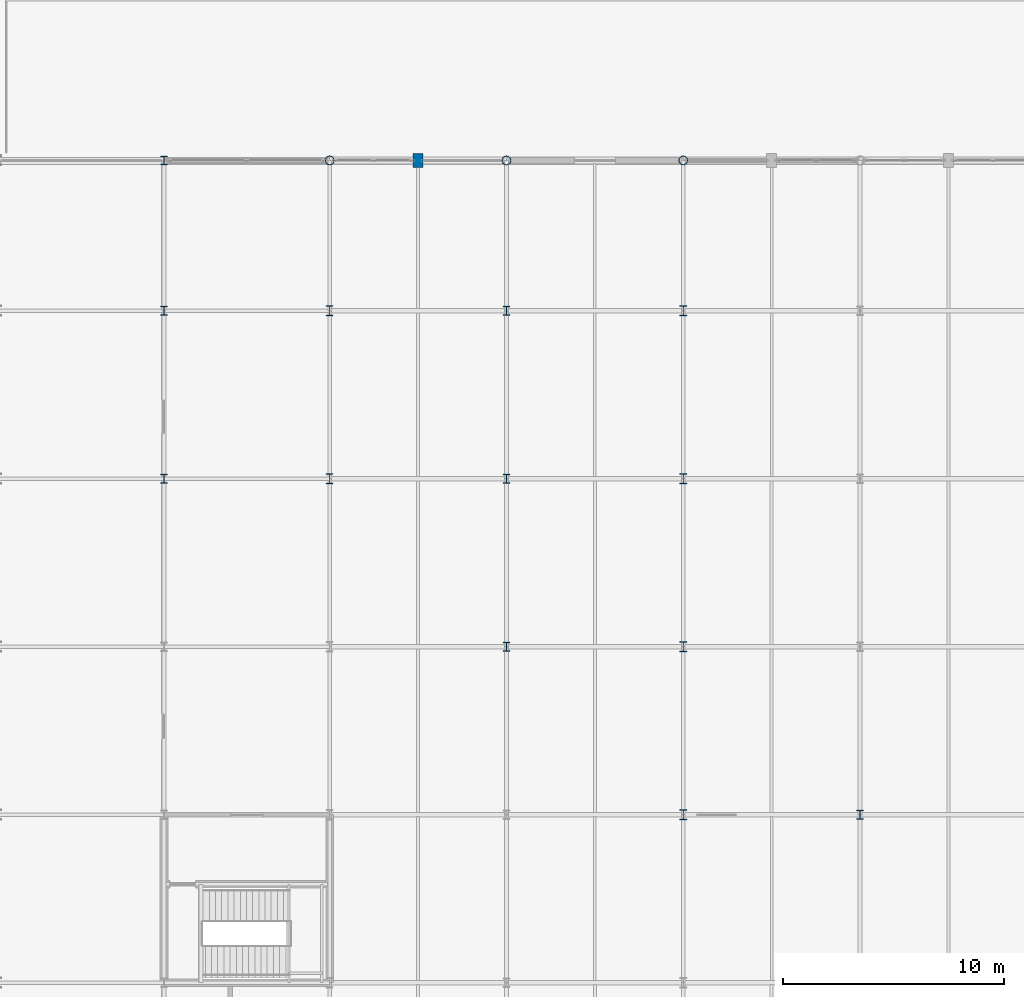
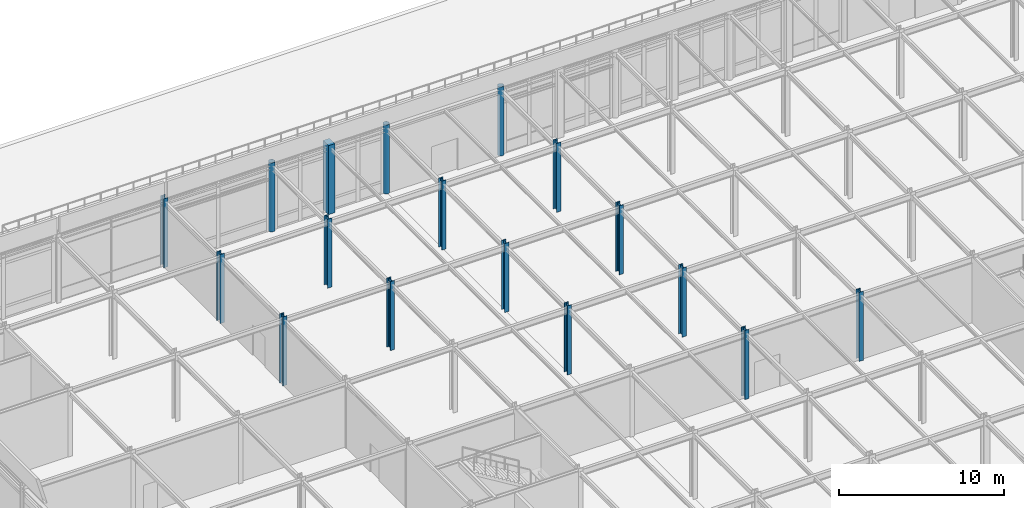
# One storey, part 10 of 113: 17 columns.
"""IFC4 building model written with IfcOpenShell, lengths in metres."""

from ifc_helpers import new_model, si_unit, direction, frame, origin, origin_2d, place, context, subcontext, project, spatial, rectangle, hollow_circle, i_section, extrude, material, material_profile, profile_set, type_object, element, save


model = new_model("IFC4")

# Units and contexts
model_context = context("Model", 3, precision=1e-05, world=origin(), true_north=direction((0.0, 1.0)))
body_context = subcontext(model_context, "Body", "Model", "MODEL_VIEW")
ifc_project = project(units=[si_unit("LENGTHUNIT", "METRE"), si_unit("AREAUNIT", "SQUARE_METRE"), si_unit("VOLUMEUNIT", "CUBIC_METRE"), si_unit("PLANEANGLEUNIT", "RADIAN"), si_unit("MASSUNIT", "GRAM", prefix="KILO")], contexts=[model_context])

# Site, building, storey
site_placement = place(None, origin())
site = spatial("IfcSite", under=ifc_project, at=site_placement, CompositionType="ELEMENT")
building_placement = place(site_placement, origin())
building = spatial("IfcBuilding", under=site, at=building_placement, Name="Shalkamar Park Central Library", CompositionType="ELEMENT")
storey_placement = place(building_placement, frame((0.0, 0.0, 5.39990234375)))
storey = spatial("IfcBuildingStorey", under=building, at=storey_placement, Name="L02", CompositionType="ELEMENT", Elevation=5.39990234375)

# Columns
ifc_material_1 = material(Name="Steel S355", Category="steel")
ifc_material_profile_1 = material_profile(ifc_material_1, i_section(OverallWidth=0.300048828125, OverallDepth=0.39990234375, WebThickness=0.013427734375, FlangeThickness=0.02392578125, FilletRadius=0.027099609375, at=origin_2d()), Name="HEB 400")
ifc_profile_set_1 = profile_set([ifc_material_profile_1], Name="Steel S355")
column_type_1 = type_object("IfcColumnType", Name="Column Steel HEB400", PredefinedType="COLUMN", material=ifc_profile_set_1)
for number, where, z_axis, x_axis, name in (
    (1, (157.5, 323.60009765625, 0.0), (0.0, 0.0, 1.0), (1.0, 0.0, 0.0), "Column 06/M (L02)"),
    (2, (157.5, 331.199951171875, 0.0), (0.0, 0.0, 1.0), (1.0, 0.0, 0.0), "Column 06/N (L02)"),
    (3, (157.5, 338.0, 0.0), (0.0, 0.0, 1.0), (1.0, 0.0, 0.0), "Column 06/P (L02)"),
    (4, (173.0, 316.0, 0.0), (0.0, 0.0, 1.0), (1.0, 0.0, 0.0), "Column 08/L (L02)"),
    (5, (173.0, 323.60009765625, 0.0), (0.0, 0.0, 1.0), (1.0, 0.0, 0.0), "Column 08/M (L02)"),
    (6, (173.0, 331.199951171875, 0.0), (0.0, 0.0, 1.0), (1.0, 0.0, 0.0), "Column 08/N (L02)"),
    (7, (189.0, 308.39990234375, 0.0), (0.0, 0.0, 1.0), (1.0, 0.0, 0.0), "Column 10/K (L02)"),
):
    element("IfcColumn", number, at=place(storey_placement, frame(where, z_axis=z_axis, x_axis=x_axis)), inside=storey, type_object=column_type_1, Name=name, PredefinedType="COLUMN", context=body_context, shape_type="SweptSolid", body=[
        extrude(i_section(OverallWidth=0.300048828125, OverallDepth=0.39990234375, WebThickness=0.013427734375, FlangeThickness=0.02392578125, FilletRadius=0.027099609375, at=origin_2d()), origin(), (0.0, 0.0, 1.0), 5.10009765625),
    ])
ifc_material_profile_2 = material_profile(ifc_material_1, i_section(OverallWidth=0.300048828125, OverallDepth=0.449951171875, WebThickness=0.013916015625, FlangeThickness=0.02587890625, FilletRadius=0.027099609375, at=origin_2d()), Name="HEB 450")
ifc_profile_set_2 = profile_set([ifc_material_profile_2], Name="Steel S355")
column_type_2 = type_object("IfcColumnType", Name="Column Steel HEB450", PredefinedType="COLUMN", material=ifc_profile_set_2)
for number, where, z_axis, x_axis, name in (
    (8, (165.0, 323.60009765625, 0.0), (0.0, 0.0, 1.0), (1.0, 0.0, 0.0), "Column 07/M (L02)"),
    (9, (165.0, 331.199951171875, 0.0), (0.0, 0.0, 1.0), (1.0, 0.0, 0.0), "Column 07/N (L02)"),
    (10, (181.0, 308.39990234375, 0.0), (0.0, 0.0, 1.0), (1.0, 0.0, 0.0), "Column 09/K (L02)"),
    (11, (181.0, 316.0, 0.0), (0.0, 0.0, 1.0), (1.0, 0.0, 0.0), "Column 09/L (L02)"),
    (12, (181.0, 323.60009765625, 0.0), (0.0, 0.0, 1.0), (1.0, 0.0, 0.0), "Column 09/M (L02)"),
    (13, (181.0, 331.199951171875, 0.0), (0.0, 0.0, 1.0), (1.0, 0.0, 0.0), "Column 09/N (L02)"),
):
    element("IfcColumn", number, at=place(storey_placement, frame(where, z_axis=z_axis, x_axis=x_axis)), inside=storey, type_object=column_type_2, Name=name, PredefinedType="COLUMN", context=body_context, shape_type="SweptSolid", body=[
        extrude(i_section(OverallWidth=0.300048828125, OverallDepth=0.449951171875, WebThickness=0.013916015625, FlangeThickness=0.02587890625, FilletRadius=0.027099609375, at=origin_2d()), origin(), (0.0, 0.0, 1.0), 5.10009765625),
    ])
ifc_material_profile_3 = material_profile(ifc_material_1, hollow_circle(Radius=0.203125, WallThickness=0.01611328125, at=origin_2d()), Name="CHS 406.4x16")
ifc_profile_set_3 = profile_set([ifc_material_profile_3], Name="Steel S355")
column_type_3 = type_object("IfcColumnType", Name="Column Tube CHS406", PredefinedType="COLUMN", material=ifc_profile_set_3)
for number, where, z_axis, x_axis, name in (
    (14, (165.0, 338.0, 0.0), (0.0, 0.0, 1.0), (1.0, 0.0, 0.0), "Column 07/P (L02)"),
    (15, (173.0, 338.0, 0.0), (0.0, 0.0, 1.0), (1.0, 0.0, 0.0), "Column 08/P (L02)"),
    (16, (181.0, 338.0, 0.0), (0.0, 0.0, 1.0), (1.0, 0.0, 0.0), "Column 09/P (L02)"),
):
    element("IfcColumn", number, at=place(storey_placement, frame(where, z_axis=z_axis, x_axis=x_axis)), inside=storey, type_object=column_type_3, Name=name, PredefinedType="COLUMN", context=body_context, shape_type="SweptSolid", body=[
        extrude(hollow_circle(Radius=0.203125, WallThickness=0.01611328125, at=origin_2d()), origin(), (0.0, 0.0, 1.0), 5.10009765625),
    ])
ifc_material_2 = material(Name="Concrete C40/50", Category="concrete")
ifc_material_profile_4 = material_profile(ifc_material_2, rectangle(XDim=0.449951171875, YDim=0.64990234375, at=origin_2d()), Name="RC 450x650")
ifc_profile_set_4 = profile_set([ifc_material_profile_4], Name="Concrete C40/50")
column_type_4 = type_object("IfcColumnType", Name="Engaged Pilaster RC450x650", PredefinedType="PILASTER", material=ifc_profile_set_4)
column_placement = place(storey_placement, frame((169.0, 338.0, 0.0), z_axis=(0.0, 0.0, 1.0), x_axis=(1.0, 0.0, 0.0)))
element("IfcColumn", 17, at=column_placement, inside=storey, type_object=column_type_4, Name="Terrace Facade Pilaster P-06 (L02)", PredefinedType="PILASTER", context=body_context, shape_type="SweptSolid", body=[
    extrude(rectangle(XDim=0.449951171875, YDim=0.64990234375, at=origin_2d()), origin(), (0.0, 0.0, 1.0), 5.10009765625),
])

save(model, "model.ifc")
